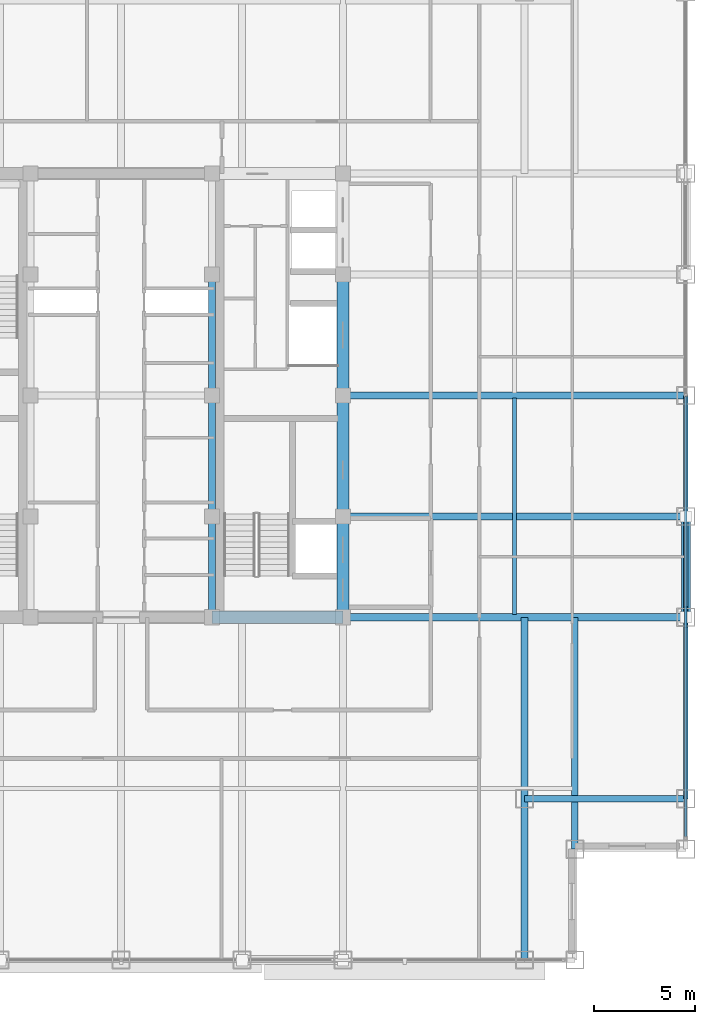
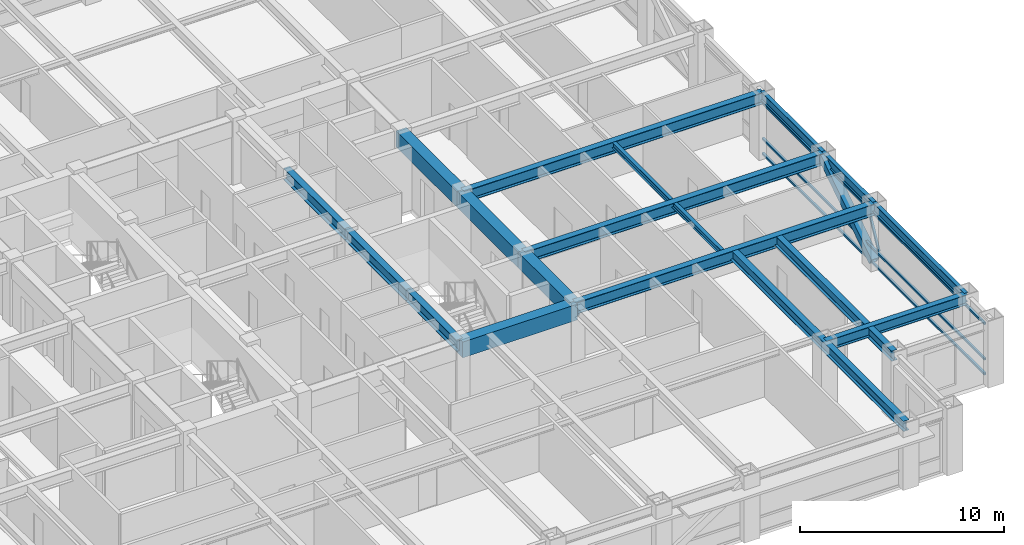
# One storey, part 9 of 27: 17 beams, 5 members, 1 element without a shape of its own.
"""IFC4 building model written with IfcOpenShell, lengths in metres."""

import ifcopenshell
import ifcopenshell.guid

model = None  # the IFC model being written
_history = None  # IfcOwnerHistory: only IFC2X3 demands one
_inside = {}  # id of a spatial element -> (the spatial element, [elements in it])
_under = {}  # id of a project, library or spatial element -> (it, [spatial elements below it])
_declared = {}  # id of a project -> (the project, [libraries it declares])
_typed = {}  # id of a type object -> (the type object, [elements of that type])
_made_of = {}  # id of a material, layer set ... -> (it, [elements and type objects made of it])


def new_model(schema):
    """Start an empty IFC model of exactly this schema.

    Asked for "IFC4X3", IfcOpenShell would pick the latest addendum, in which some entities
    have other attributes; the version numbers below select the first issue.
    IFC2X3 requires an IfcOwnerHistory on every rooted entity: one is made here for all.
    """
    global model, _history
    if schema == "IFC4X3":
        model = ifcopenshell.file(schema_version=(4, 3, 0, 0))
    else:
        model = ifcopenshell.file(schema=schema)
    _inside.clear()
    _under.clear()
    _declared.clear()
    _typed.clear()
    _made_of.clear()
    _history = None
    if model.schema == "IFC2X3":
        org = make("IfcOrganization", Name="unknown")
        user = make(
            "IfcPersonAndOrganization",
            ThePerson=make("IfcPerson", FamilyName="unknown"),
            TheOrganization=org,
        )
        app = make(
            "IfcApplication",
            ApplicationDeveloper=org,
            Version="unknown",
            ApplicationFullName="unknown",
            ApplicationIdentifier="unknown",
        )
        _history = make(
            "IfcOwnerHistory",
            OwningUser=user,
            OwningApplication=app,
            ChangeAction="ADDED",
            CreationDate=0,
        )
    return model


def make(cls, **values):
    """One entity of the class cls with the attributes given. An attribute that is None is left unset."""
    return model.create_entity(
        cls, **{name: value for name, value in values.items() if value is not None}
    )


def rooted(cls, **values):
    """An entity with a GlobalId (a new one), such as an element, a storey or a relation."""
    return make(cls, GlobalId=ifcopenshell.guid.new(), OwnerHistory=_history, **values)


def si_unit(unit_type, name, prefix=None):
    """IfcSIUnit, for example si_unit("LENGTHUNIT", "METRE", prefix="MILLI")."""
    return make("IfcSIUnit", UnitType=unit_type, Prefix=prefix, Name=name)


def assignment(units):
    """IfcUnitAssignment: the units of a project."""
    return None if units is None else make("IfcUnitAssignment", Units=units)


def point(xyz):
    """IfcCartesianPoint."""
    return None if xyz is None else make("IfcCartesianPoint", Coordinates=xyz)


def direction(xyz):
    """IfcDirection."""
    return None if xyz is None else make("IfcDirection", DirectionRatios=xyz)


def frame(location, z_axis=None, x_axis=None):
    """IfcAxis2Placement3D, a coordinate frame: its origin and axes. An axis left out is left unset."""
    return make(
        "IfcAxis2Placement3D",
        Location=point(location),
        Axis=direction(z_axis),
        RefDirection=direction(x_axis),
    )


def frame_2d(location, x_axis=None):
    """IfcAxis2Placement2D, a coordinate frame in the plane: its origin and x axis."""
    return make(
        "IfcAxis2Placement2D", Location=point(location), RefDirection=direction(x_axis)
    )


def origin():
    """The frame at (0, 0, 0) with its axes left unset."""
    return frame((0.0, 0.0, 0.0))


def origin_2d():
    """The frame at (0, 0) in the plane with its x axis left unset."""
    return frame_2d((0.0, 0.0))


def place(relative_to, where):
    """IfcLocalPlacement: puts the frame where relative to a parent placement (None: the world)."""
    return make(
        "IfcLocalPlacement", PlacementRelTo=relative_to, RelativePlacement=where
    )


def context(
    kind, dimensions, precision=None, world=None, true_north=None, identifier=None
):
    """IfcGeometricRepresentationContext, for example the 3D "Model" context."""
    return make(
        "IfcGeometricRepresentationContext",
        ContextIdentifier=identifier,
        ContextType=kind,
        CoordinateSpaceDimension=dimensions,
        Precision=precision,
        WorldCoordinateSystem=world,
        TrueNorth=true_north,
    )


def subcontext(parent, identifier, kind, view, scale=None):
    """IfcGeometricRepresentationSubContext, for example "Body" below "Model"."""
    return make(
        "IfcGeometricRepresentationSubContext",
        ContextIdentifier=identifier,
        ContextType=kind,
        ParentContext=parent,
        TargetScale=scale,
        TargetView=view,
    )


def project(units=None, contexts=None):
    """IfcProject with its units and contexts."""
    return rooted(
        "IfcProject",
        Name="project",
        RepresentationContexts=contexts,
        UnitsInContext=assignment(units),
    )


def spatial(cls, under=None, at=None, **own):
    """A site, building, storey or space (cls), placed at a placement, below another one or the project."""
    s = rooted(cls, ObjectPlacement=at, **own)
    if under is not None:
        _under.setdefault(under.id(), (under, []))[1].append(s)
    return s


def profile(cls, at=None, kind="AREA", **sizes):
    """A parametric profile (cls). Its sizes go by their IFC names, for example OverallWidth=200.0."""
    return make(cls, ProfileType=kind, Position=at, **sizes)


def rectangle(**sizes):
    """IfcRectangleProfileDef."""
    return profile("IfcRectangleProfileDef", **sizes)


def hollow_rectangle(**sizes):
    """IfcRectangleHollowProfileDef."""
    return profile("IfcRectangleHollowProfileDef", **sizes)


def i_section(**sizes):
    """IfcIShapeProfileDef."""
    return profile("IfcIShapeProfileDef", **sizes)


def extrude(swept, where, along, depth):
    """IfcExtrudedAreaSolid: the profile swept, set in the frame where, extruded along a direction by depth."""
    return make(
        "IfcExtrudedAreaSolid",
        SweptArea=swept,
        Position=where,
        ExtrudedDirection=direction(along),
        Depth=depth,
    )


def shape(context_of_items, identifier, shape_type, items):
    """IfcShapeRepresentation: the items that make up one representation, for example the "Body"."""
    return make(
        "IfcShapeRepresentation",
        ContextOfItems=context_of_items,
        RepresentationIdentifier=identifier,
        RepresentationType=shape_type,
        Items=items,
    )


def source(mapping_origin, context_of_items, identifier, shape_type, items):
    """IfcRepresentationMap: a shape defined once, which mapped items show again and again."""
    return make(
        "IfcRepresentationMap",
        MappingOrigin=mapping_origin,
        MappedRepresentation=shape(context_of_items, identifier, shape_type, items),
    )


def transform(
    local_origin,
    x_axis=None,
    y_axis=None,
    z_axis=None,
    scale=None,
    scale2=None,
    scale3=None,
    uniform=True,
):
    """IfcCartesianTransformationOperator3D, or its non-uniform kind. x_axis, y_axis, z_axis: its Axis1, 2, 3."""
    if uniform:
        return make(
            "IfcCartesianTransformationOperator3D",
            Axis1=direction(x_axis),
            Axis2=direction(y_axis),
            LocalOrigin=point(local_origin),
            Scale=scale,
            Axis3=direction(z_axis),
        )
    return make(
        "IfcCartesianTransformationOperator3DnonUniform",
        Axis1=direction(x_axis),
        Axis2=direction(y_axis),
        LocalOrigin=point(local_origin),
        Scale=scale,
        Axis3=direction(z_axis),
        Scale2=scale2,
        Scale3=scale3,
    )


def mapped(mapping_source, mapping_target):
    """IfcMappedItem: shows the shape of a source again, moved by a transform."""
    return make(
        "IfcMappedItem", MappingSource=mapping_source, MappingTarget=mapping_target
    )


def material(Name=None, Category=None):
    """IfcMaterial."""
    return make("IfcMaterial", Name=Name, Category=Category)


def material_profile(
    of_material, cross_section, Name=None, Category=None, Priority=None
):
    """IfcMaterialProfile: a cross section and its material."""
    return make(
        "IfcMaterialProfile",
        Name=Name,
        Material=of_material,
        Profile=cross_section,
        Priority=Priority,
        Category=Category,
    )


def profile_set(profiles, Name=None, composite=None):
    """IfcMaterialProfileSet."""
    return make(
        "IfcMaterialProfileSet",
        Name=Name,
        MaterialProfiles=profiles,
        CompositeProfile=composite,
    )


def made_of(thing, what):
    """Note that an element or type object is made of a material, layer set ...; save() writes the relation."""
    if what is not None:
        _made_of.setdefault(what.id(), (what, []))[1].append(thing)
    return thing


def type_object(cls, material=None, **own):
    """A type object (cls), such as IfcWallType, which elements share."""
    return made_of(rooted(cls, **own), material)


def element(
    cls,
    number,
    at=None,
    inside=None,
    cuts=None,
    type_object=None,
    material=None,
    context=None,
    identifier="Body",
    shape_type=None,
    held_by="IfcProductDefinitionShape",
    body=None,
    shapes=None,
    **own,
):
    """One element of the class cls, such as IfcWall. Its Tag is "e" and its number.

    at: its placement. inside: the storey or other place that contains it. cuts: it is an
    opening in that element (IfcRelVoidsElement). A single representation is given by context,
    identifier, shape_type and body (its items); several are given by shapes. held_by: the class
    of the entity that holds the representations. save() writes the other relations.
    """
    e = rooted(cls, Tag="e%d" % number, ObjectPlacement=at, **own)
    if body is not None:
        shapes = [shape(context, identifier, shape_type, body)]
    if shapes is not None:
        e.Representation = make(held_by, Representations=shapes)
    if inside is not None:
        _inside.setdefault(inside.id(), (inside, []))[1].append(e)
    if cuts is not None:
        rooted(
            "IfcRelVoidsElement", RelatingBuildingElement=cuts, RelatedOpeningElement=e
        )
    if type_object is not None:
        _typed.setdefault(type_object.id(), (type_object, []))[1].append(e)
    return made_of(e, material)


def aggregate(whole, parts):
    """IfcRelAggregates: a whole, such as a stair, and the parts it consists of."""
    return rooted("IfcRelAggregates", RelatingObject=whole, RelatedObjects=parts)


def save(model, path):
    """Write the relations noted so far, then the file.

    IfcRelAggregates (storeys below a building ...), IfcRelContainedInSpatialStructure (elements
    in a storey), IfcRelDefinesByType, IfcRelAssociatesMaterial and IfcRelDeclares: one each for
    every whole, place, type object, material and project.
    """
    for whole, parts in _under.values():
        aggregate(whole, parts)
    for where, things in _inside.values():
        rooted(
            "IfcRelContainedInSpatialStructure",
            RelatedElements=things,
            RelatingStructure=where,
        )
    for kind, things in _typed.values():
        rooted("IfcRelDefinesByType", RelatedObjects=things, RelatingType=kind)
    for what, things in _made_of.values():
        rooted("IfcRelAssociatesMaterial", RelatedObjects=things, RelatingMaterial=what)
    for by, libraries in _declared.values():
        rooted("IfcRelDeclares", RelatingContext=by, RelatedDefinitions=libraries)
    model.write(path)


model = new_model("IFC4")

# Units and contexts
model_context = context("Model", 3, precision=1e-05, world=origin(), true_north=direction((0.0, 1.0)))
body_context = subcontext(model_context, "Body", "Model", "MODEL_VIEW")
ifc_project = project(units=[si_unit("LENGTHUNIT", "METRE"), si_unit("AREAUNIT", "SQUARE_METRE"), si_unit("VOLUMEUNIT", "CUBIC_METRE"), si_unit("PLANEANGLEUNIT", "RADIAN"), si_unit("MASSUNIT", "GRAM", prefix="KILO")], contexts=[model_context])

# Site, building, storey
site_placement = place(None, origin())
site = spatial("IfcSite", under=ifc_project, at=site_placement, CompositionType="ELEMENT")
building_placement = place(site_placement, origin())
building = spatial("IfcBuilding", under=site, at=building_placement, Name="Khorayat Bourse Tower", CompositionType="ELEMENT")
storey_placement = place(building_placement, frame((0.0, 0.0, 313.5)))
storey = spatial("IfcBuildingStorey", under=building, at=storey_placement, Name="L74", CompositionType="ELEMENT", Elevation=313.5)

# Beams
ifc_material_1 = material(Name="Steel ASTM A992 Grade 50", Category="steel")
ifc_material_profile_1 = material_profile(ifc_material_1, i_section(OverallWidth=0.35498046875, OverallDepth=0.695068359375, WebThickness=0.015380859375, FlangeThickness=0.02490234375, FilletRadius=0.01806640625, at=origin_2d()), Name="W690X217")
ifc_profile_set_1 = profile_set([ifc_material_profile_1], Name="Steel ASTM A992 Grade 50")
beam_type_1 = type_object("IfcBeamType", Name="BM-GIRD-690", PredefinedType="BEAM", material=ifc_profile_set_1)
shared_shape_1 = source(origin(), body_context, "Body", "SweptSolid", [
    extrude(i_section(OverallWidth=0.35498046875, OverallDepth=0.695068359375, WebThickness=0.015380859375, FlangeThickness=0.02490234375, FilletRadius=0.01806640625, at=origin_2d()), origin(), (0.0, 0.0, 1.0), 5.0),
])
beam_1_placement = place(storey_placement, frame((4.5, -11.0, 3.4326171875), z_axis=(0.0, 1.0, 0.0), x_axis=(-1.0, 0.0, 0.0)))
element("IfcBeam", 1, at=beam_1_placement, inside=storey, type_object=beam_type_1, Name="L74 BM-GIRD-690 BM-L74-CRX-09", PredefinedType="BEAM", context=body_context, shape_type="MappedRepresentation", body=[
    mapped(shared_shape_1, transform((0.0, 0.0, 0.0), scale=1.0)),
])
shared_shape_2 = source(origin(), body_context, "Body", "SweptSolid", [
    extrude(i_section(OverallWidth=0.35498046875, OverallDepth=0.695068359375, WebThickness=0.015380859375, FlangeThickness=0.02490234375, FilletRadius=0.01806640625, at=origin_2d()), origin(), (0.0, 0.0, 1.0), 6.0),
])
for number, where, z_axis, x_axis, name in (
    (2, (4.5, -6.0, 3.4326171875), (0.0, 1.0, 0.0), (-1.0, 0.0, 0.0), "L74 BM-GIRD-690 BM-L74-CRX-10"),
    (3, (4.5, 0.0, 3.4326171875), (0.0, 1.0, 0.0), (-1.0, 0.0, 0.0), "L74 BM-GIRD-690 BM-L74-CRX-11"),
):
    element("IfcBeam", number, at=place(storey_placement, frame(where, z_axis=z_axis, x_axis=x_axis)), inside=storey, type_object=beam_type_1, Name=name, PredefinedType="BEAM", context=body_context, shape_type="MappedRepresentation", body=[
        mapped(shared_shape_2, transform((0.0, 0.0, 0.0), scale=1.0)),
    ])
ifc_material_profile_2 = material_profile(ifc_material_1, i_section(OverallWidth=0.324951171875, OverallDepth=0.615966796875, WebThickness=0.013916015625, FlangeThickness=0.021484375, FilletRadius=0.01611328125, at=origin_2d()), Name="W610X174")
ifc_profile_set_2 = profile_set([ifc_material_profile_2], Name="Steel ASTM A992 Grade 50")
beam_type_2 = type_object("IfcBeamType", Name="BM-GIRD-610", PredefinedType="BEAM", material=ifc_profile_set_2)
shared_shape_3 = source(origin(), body_context, "Body", "SweptSolid", [
    extrude(i_section(OverallWidth=0.324951171875, OverallDepth=0.615966796875, WebThickness=0.013916015625, FlangeThickness=0.021484375, FilletRadius=0.01611328125, at=origin_2d()), origin(), (0.0, 0.0, 1.0), 17.0),
])
beam_2_placement = place(storey_placement, frame((20.0, -28.0, 3.471923828125), z_axis=(0.0, 1.0, 0.0), x_axis=(-1.0, 0.0, 0.0)))
element("IfcBeam", 4, at=beam_2_placement, inside=storey, type_object=beam_type_2, Name="L74 BM-GIRD-610 BM-L74-CNRY-086", PredefinedType="BEAM", context=body_context, shape_type="MappedRepresentation", body=[
    mapped(shared_shape_3, transform((0.0, 0.0, 0.0), scale=1.0)),
])
ifc_material_2 = material(Name="Concrete C60/75", Category="concrete")
ifc_material_profile_3 = material_profile(ifc_material_2, rectangle(XDim=0.60009765625, YDim=0.949951171875, at=origin_2d()), Name="RC 600x950")
ifc_profile_set_3 = profile_set([ifc_material_profile_3], Name="Concrete C60/75")
beam_type_3 = type_object("IfcBeamType", Name="BM-COUP-950", PredefinedType="BEAM", material=ifc_profile_set_3)
shared_shape_4 = source(origin(), body_context, "Body", "SweptSolid", [
    extrude(rectangle(XDim=0.60009765625, YDim=0.949951171875, at=origin_2d()), origin(), (0.0, 0.0, 1.0), 5.0),
])
beam_3_placement = place(storey_placement, frame((11.0, -11.0, 3.304931640625), z_axis=(0.0, 1.0, 0.0), x_axis=(-1.0, 0.0, 0.0)))
element("IfcBeam", 5, at=beam_3_placement, inside=storey, type_object=beam_type_3, Name="L74 BM-COUP-950 BM-L74-CRX-13", PredefinedType="BEAM", context=body_context, shape_type="MappedRepresentation", body=[
    mapped(shared_shape_4, transform((0.0, 0.0, 0.0), scale=1.0)),
])
shared_shape_5 = source(origin(), body_context, "Body", "SweptSolid", [
    extrude(rectangle(XDim=0.60009765625, YDim=0.949951171875, at=origin_2d()), origin(), (0.0, 0.0, 1.0), 6.0),
])
for number, where, z_axis, x_axis, name in (
    (6, (11.0, -6.0, 3.304931640625), (0.0, 1.0, 0.0), (-1.0, 0.0, 0.0), "L74 BM-COUP-950 BM-L74-CRX-14"),
    (7, (11.0, 0.0, 3.304931640625), (0.0, 1.0, 0.0), (-1.0, 0.0, 0.0), "L74 BM-COUP-950 BM-L74-CRX-15"),
):
    element("IfcBeam", number, at=place(storey_placement, frame(where, z_axis=z_axis, x_axis=x_axis)), inside=storey, type_object=beam_type_3, Name=name, PredefinedType="BEAM", context=body_context, shape_type="MappedRepresentation", body=[
        mapped(shared_shape_5, transform((0.0, 0.0, 0.0), scale=1.0)),
    ])
shared_shape_6 = source(origin(), body_context, "Body", "SweptSolid", [
    extrude(rectangle(XDim=0.60009765625, YDim=0.949951171875, at=origin_2d()), origin(), (0.0, 0.0, 1.0), 6.5),
])
beam_4_placement = place(storey_placement, frame((4.5, -11.0, 3.304931640625), z_axis=(1.0, 0.0, 0.0), x_axis=(0.0, 1.0, 0.0)))
element("IfcBeam", 8, at=beam_4_placement, inside=storey, type_object=beam_type_3, Name="L74 BM-COUP-950 BM-L74-CRY-19", PredefinedType="BEAM", context=body_context, shape_type="MappedRepresentation", body=[
    mapped(shared_shape_6, transform((0.0, 0.0, 0.0), scale=1.0)),
])

# Member
ifc_material_3 = material(Name="Steel EN 10025-4 S460M", Category="steel")
ifc_material_profile_4 = material_profile(ifc_material_3, hollow_rectangle(XDim=0.449951171875, YDim=0.449951171875, WallThickness=0.02490234375, at=origin_2d()), Name="HSS 450x450x25")
ifc_profile_set_4 = profile_set([ifc_material_profile_4], Name="Steel EN 10025-4 S460M")
member_type_1 = type_object("IfcMemberType", Name="MBR-TUBE-450", PredefinedType="BRACE", material=ifc_profile_set_4)
shared_shape_7 = source(origin(), body_context, "Body", "SweptSolid", [
    extrude(hollow_rectangle(XDim=0.449951171875, YDim=0.449951171875, WallThickness=0.02490234375, at=origin_2d()), origin(), (0.0, 0.0, 1.0), 5.979736328125),
])
member_1_placement = place(storey_placement, frame((28.0, -11.0, 0.25), z_axis=(0.0, 0.836141536525, 0.548513747227), x_axis=(-1.0, 0.0, 0.0)))
element("IfcMember", 9, at=member_1_placement, inside=storey, type_object=member_type_1, Name="L74 Perimeter Tube Brace 07", PredefinedType="BRACE", context=body_context, shape_type="MappedRepresentation", body=[
    mapped(shared_shape_7, transform((0.0, 0.0, 0.0), scale=1.0)),
])

# Beams
shared_shape_8 = source(origin(), body_context, "Body", "SweptSolid", [
    extrude(i_section(OverallWidth=0.35498046875, OverallDepth=0.695068359375, WebThickness=0.015380859375, FlangeThickness=0.02490234375, FilletRadius=0.01806640625, at=origin_2d()), origin(), (0.0, 0.0, 1.0), 17.0),
])
for number, where, z_axis, x_axis, name in (
    (10, (11.0, -11.0, 3.4326171875), (1.0, 0.0, 0.0), (0.0, 1.0, 0.0), "L74 BM-GIRD-690 BM-L74-RADX-074"),
    (11, (11.0, -6.0, 3.4326171875), (1.0, 0.0, 0.0), (0.0, 1.0, 0.0), "L74 BM-GIRD-690 BM-L74-RADX-076"),
    (12, (11.0, 0.0, 3.4326171875), (1.0, 0.0, 0.0), (0.0, 1.0, 0.0), "L74 BM-GIRD-690 BM-L74-RADX-078"),
):
    element("IfcBeam", number, at=place(storey_placement, frame(where, z_axis=z_axis, x_axis=x_axis)), inside=storey, type_object=beam_type_1, Name=name, PredefinedType="BEAM", context=body_context, shape_type="MappedRepresentation", body=[
        mapped(shared_shape_8, transform((0.0, 0.0, 0.0), scale=1.0)),
    ])
shared_shape_9 = source(origin(), body_context, "Body", "SweptSolid", [
    extrude(i_section(OverallWidth=0.324951171875, OverallDepth=0.615966796875, WebThickness=0.013916015625, FlangeThickness=0.021484375, FilletRadius=0.01611328125, at=origin_2d()), origin(), (0.0, 0.0, 1.0), 11.5),
])
beam_5_placement = place(storey_placement, frame((22.5, -22.5, 3.471923828125), z_axis=(0.0, 1.0, 0.0), x_axis=(-1.0, 0.0, 0.0)))
element("IfcBeam", 13, at=beam_5_placement, inside=storey, type_object=beam_type_2, Name="L74 BM-GIRD-610 BM-L74-CNRY-090", PredefinedType="BEAM", context=body_context, shape_type="MappedRepresentation", body=[
    mapped(shared_shape_9, transform((0.0, 0.0, 0.0), scale=1.0)),
])
shared_shape_10 = source(origin(), body_context, "Body", "SweptSolid", [
    extrude(i_section(OverallWidth=0.324951171875, OverallDepth=0.615966796875, WebThickness=0.013916015625, FlangeThickness=0.021484375, FilletRadius=0.01611328125, at=origin_2d()), origin(), (0.0, 0.0, 1.0), 8.0),
])
beam_6_placement = place(storey_placement, frame((20.0, -20.0, 3.471923828125), z_axis=(1.0, 0.0, 0.0), x_axis=(0.0, 1.0, 0.0)))
element("IfcBeam", 14, at=beam_6_placement, inside=storey, type_object=beam_type_2, Name="L74 BM-GIRD-610 BM-L74-CNRX-092", PredefinedType="BEAM", context=body_context, shape_type="MappedRepresentation", body=[
    mapped(shared_shape_10, transform((0.0, 0.0, 0.0), scale=1.0)),
])
ifc_material_profile_5 = material_profile(ifc_material_1, i_section(OverallWidth=0.202880859375, OverallDepth=0.346923828125, WebThickness=0.0078125, FlangeThickness=0.013427734375, FilletRadius=0.010009765625, at=origin_2d()), Name="W360X64")
ifc_profile_set_5 = profile_set([ifc_material_profile_5], Name="Steel ASTM A992 Grade 50")
beam_type_4 = type_object("IfcBeamType", Name="BM-JOIST-360", PredefinedType="JOIST", material=ifc_profile_set_5)
shared_shape_11 = source(origin(), body_context, "Body", "SweptSolid", [
    extrude(i_section(OverallWidth=0.202880859375, OverallDepth=0.346923828125, WebThickness=0.0078125, FlangeThickness=0.013427734375, FilletRadius=0.010009765625, at=origin_2d()), origin(), (0.0, 0.0, 1.0), 10.740234375),
])
beam_7_placement = place(storey_placement, frame((19.5, -10.8701171875, 3.6064453125), z_axis=(0.0, 1.0, 0.0), x_axis=(-1.0, 0.0, 0.0)))
element("IfcBeam", 15, at=beam_7_placement, inside=storey, type_object=beam_type_4, Name="L74 BM-JOIST-360 BM-L74-JSTY-104", PredefinedType="JOIST", context=body_context, shape_type="MappedRepresentation", body=[
    mapped(shared_shape_11, transform((0.0, 0.0, 0.0), scale=1.0)),
])
ifc_material_profile_6 = material_profile(ifc_material_1, i_section(OverallWidth=0.214111328125, OverallDepth=0.549072265625, WebThickness=0.0146484375, FlangeThickness=0.023681640625, FilletRadius=0.013916015625, at=origin_2d()), Name="W530X138")
ifc_profile_set_6 = profile_set([ifc_material_profile_6], Name="Steel ASTM A992 Grade 50")
beam_type_5 = type_object("IfcBeamType", Name="BM-SPAN-530", PredefinedType="SPANDREL", material=ifc_profile_set_6)
shared_shape_12 = source(origin(), body_context, "Body", "SweptSolid", [
    extrude(i_section(OverallWidth=0.214111328125, OverallDepth=0.549072265625, WebThickness=0.0146484375, FlangeThickness=0.023681640625, FilletRadius=0.013916015625, at=origin_2d()), origin(), (0.0, 0.0, 1.0), 9.0),
])
beam_8_placement = place(storey_placement, frame((28.0, -20.0, 3.505615234375), z_axis=(0.0, 1.0, 0.0), x_axis=(-1.0, 0.0, 0.0)))
element("IfcBeam", 16, at=beam_8_placement, inside=storey, type_object=beam_type_5, Name="L74 BM-SPAN-530 BM-L74-SPN-035", PredefinedType="SPANDREL", context=body_context, shape_type="MappedRepresentation", body=[
    mapped(shared_shape_12, transform((0.0, 0.0, 0.0), scale=1.0)),
])
shared_shape_13 = source(origin(), body_context, "Body", "SweptSolid", [
    extrude(i_section(OverallWidth=0.214111328125, OverallDepth=0.549072265625, WebThickness=0.0146484375, FlangeThickness=0.023681640625, FilletRadius=0.013916015625, at=origin_2d()), origin(), (0.0, 0.0, 1.0), 5.0),
])
beam_9_placement = place(storey_placement, frame((28.0, -11.0, 3.505615234375), z_axis=(0.0, 1.0, 0.0), x_axis=(-1.0, 0.0, 0.0)))
element("IfcBeam", 17, at=beam_9_placement, inside=storey, type_object=beam_type_5, Name="L74 BM-SPAN-530 BM-L74-SPN-036", PredefinedType="SPANDREL", context=body_context, shape_type="MappedRepresentation", body=[
    mapped(shared_shape_13, transform((0.0, 0.0, 0.0), scale=1.0)),
])
shared_shape_14 = source(origin(), body_context, "Body", "SweptSolid", [
    extrude(i_section(OverallWidth=0.214111328125, OverallDepth=0.549072265625, WebThickness=0.0146484375, FlangeThickness=0.023681640625, FilletRadius=0.013916015625, at=origin_2d()), origin(), (0.0, 0.0, 1.0), 6.0),
])
beam_10_placement = place(storey_placement, frame((28.0, -6.0, 3.505615234375), z_axis=(0.0, 1.0, 0.0), x_axis=(-1.0, 0.0, 0.0)))
element("IfcBeam", 18, at=beam_10_placement, inside=storey, type_object=beam_type_5, Name="L74 BM-SPAN-530 BM-L74-SPN-037", PredefinedType="SPANDREL", context=body_context, shape_type="MappedRepresentation", body=[
    mapped(shared_shape_14, transform((0.0, 0.0, 0.0), scale=1.0)),
])

# Curtain wall, members
ifc_material_4 = material(Name="Aluminium EN AW-6063 T6", Category="aluminium")
curtain_wall_type = type_object("IfcCurtainWallType", Name="CW-SYS-04", PredefinedType="NOTDEFINED", material=ifc_material_4)
curtain_wall_placement = place(storey_placement, origin())
curtain_wall = element("IfcCurtainWall", 19, at=curtain_wall_placement, inside=storey, type_object=curtain_wall_type, Name="L74 Curtain Wall CW-L74-E1", PredefinedType="NOTDEFINED")
ifc_material_profile_7 = material_profile(ifc_material_4, hollow_rectangle(XDim=0.1201171875, YDim=0.1201171875, WallThickness=0.0048828125, at=origin_2d()), Name="ALU 120x120x5")
ifc_profile_set_7 = profile_set([ifc_material_profile_7], Name="Aluminium EN AW-6063 T6")
member_type_2 = type_object("IfcMemberType", Name="CWM-DIAG-120", PredefinedType="MULLION", material=ifc_profile_set_7)
shared_shape_15 = source(origin(), body_context, "Body", "SweptSolid", [
    extrude(hollow_rectangle(XDim=0.1201171875, YDim=0.1201171875, WallThickness=0.0048828125, at=origin_2d()), origin(), (0.0, 0.0, 1.0), 2.0791015625),
])
member_2_placement = place(storey_placement, frame((28.0, -11.4541015625, 1.090087890625), z_axis=(0.0, 0.465717394116, 0.884933505309), x_axis=(-1.0, 0.0, 0.0)))
member_2 = element("IfcMember", 20, at=member_2_placement, type_object=member_type_2, Name="CW-L74-E1 Faceted Diagonal Mullion 1", PredefinedType="MULLION", context=body_context, shape_type="MappedRepresentation", body=[
    mapped(shared_shape_15, transform((0.0, 0.0, 0.0), scale=1.0)),
])
ifc_material_profile_8 = material_profile(ifc_material_4, hollow_rectangle(XDim=0.1201171875, YDim=0.1201171875, WallThickness=0.0048828125, at=origin_2d()), Name="ALU 120x120x5")
ifc_profile_set_8 = profile_set([ifc_material_profile_8], Name="Aluminium EN AW-6063 T6")
member_type_3 = type_object("IfcMemberType", Name="CWT-HORZ-120", PredefinedType="USERDEFINED", material=ifc_profile_set_8)
shared_shape_16 = source(origin(), body_context, "Body", "SweptSolid", [
    extrude(hollow_rectangle(XDim=0.1201171875, YDim=0.1201171875, WallThickness=0.0048828125, at=origin_2d()), origin(), (0.0, 0.0, 1.0), 21.81982421875),
])
member_3_placement = place(storey_placement, frame((28.0, -21.8798828125, 0.06005859375), z_axis=(0.0, 1.0, 0.0), x_axis=(-1.0, 0.0, 0.0)))
member_3 = element("IfcMember", 21, at=member_3_placement, type_object=member_type_3, Name="CW-L74-E1 Horizontal Transom 1-1", ObjectType="TRANSOM", PredefinedType="USERDEFINED", context=body_context, shape_type="MappedRepresentation", body=[
    mapped(shared_shape_16, transform((0.0, 0.0, 0.0), scale=1.0)),
])
member_4_placement = place(storey_placement, frame((28.0, -21.8798828125, 0.949951171875), z_axis=(0.0, 1.0, 0.0), x_axis=(-1.0, 0.0, 0.0)))
member_4 = element("IfcMember", 22, at=member_4_placement, type_object=member_type_3, Name="CW-L74-E1 Horizontal Transom 1-2", ObjectType="TRANSOM", PredefinedType="USERDEFINED", context=body_context, shape_type="MappedRepresentation", body=[
    mapped(shared_shape_16, transform((0.0, 0.0, 0.0), scale=1.0)),
])
member_5_placement = place(storey_placement, frame((28.0, -21.8798828125, 3.070068359375), z_axis=(0.0, 1.0, 0.0), x_axis=(-1.0, 0.0, 0.0)))
member_5 = element("IfcMember", 23, at=member_5_placement, type_object=member_type_3, Name="CW-L74-E1 Horizontal Transom 1-3", ObjectType="TRANSOM", PredefinedType="USERDEFINED", context=body_context, shape_type="MappedRepresentation", body=[
    mapped(shared_shape_16, transform((0.0, 0.0, 0.0), scale=1.0)),
])
aggregate(curtain_wall, [member_3, member_4, member_5, member_2])

save(model, "model.ifc")
